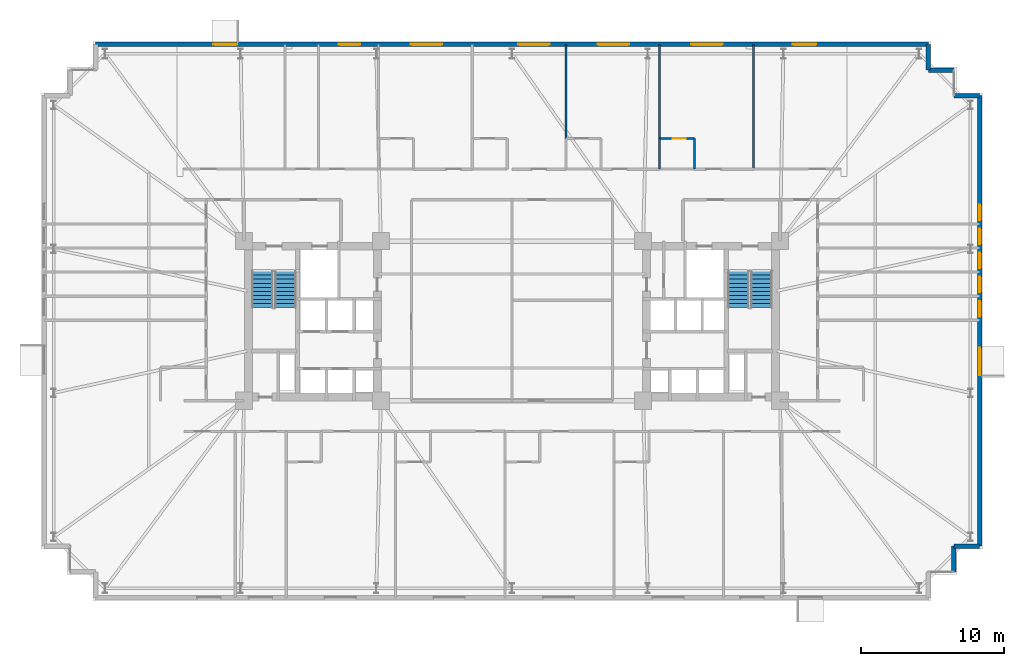
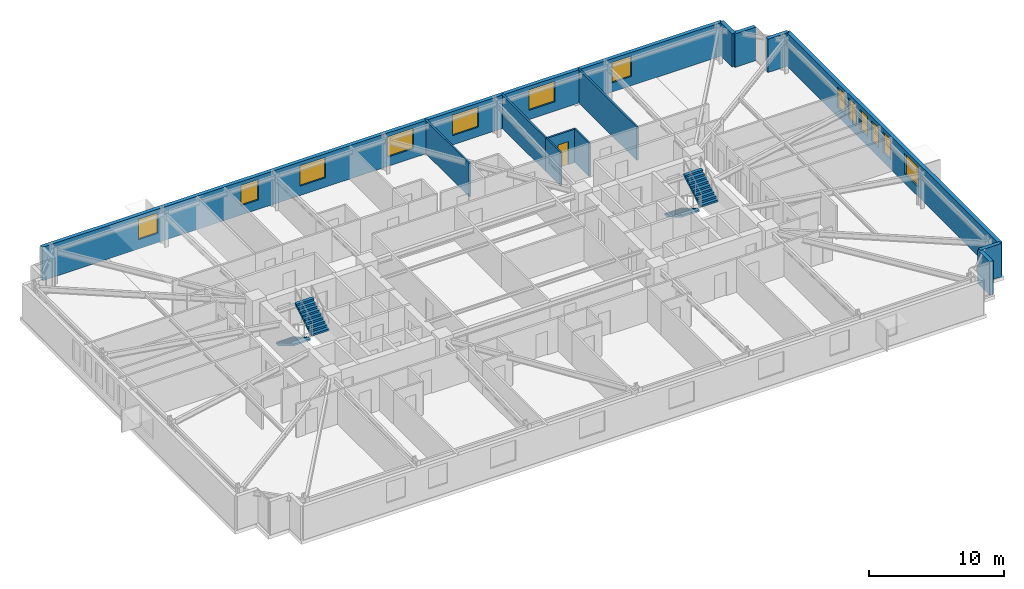
# One storey, part 19 of 22: 13 walls, 13 windows, 4 stair flights, 1 door, 14 openings, 2 elements without a shape of their own.
"""IFC4 building model written with IfcOpenShell, lengths in metres."""

import ifcopenshell
import ifcopenshell.guid

model = None  # the IFC model being written
_history = None  # IfcOwnerHistory: only IFC2X3 demands one
_inside = {}  # id of a spatial element -> (the spatial element, [elements in it])
_under = {}  # id of a project, library or spatial element -> (it, [spatial elements below it])
_declared = {}  # id of a project -> (the project, [libraries it declares])
_typed = {}  # id of a type object -> (the type object, [elements of that type])
_made_of = {}  # id of a material, layer set ... -> (it, [elements and type objects made of it])


def new_model(schema):
    """Start an empty IFC model of exactly this schema.

    Asked for "IFC4X3", IfcOpenShell would pick the latest addendum, in which some entities
    have other attributes; the version numbers below select the first issue.
    IFC2X3 requires an IfcOwnerHistory on every rooted entity: one is made here for all.
    """
    global model, _history
    if schema == "IFC4X3":
        model = ifcopenshell.file(schema_version=(4, 3, 0, 0))
    else:
        model = ifcopenshell.file(schema=schema)
    _inside.clear()
    _under.clear()
    _declared.clear()
    _typed.clear()
    _made_of.clear()
    _history = None
    if model.schema == "IFC2X3":
        org = make("IfcOrganization", Name="unknown")
        user = make(
            "IfcPersonAndOrganization",
            ThePerson=make("IfcPerson", FamilyName="unknown"),
            TheOrganization=org,
        )
        app = make(
            "IfcApplication",
            ApplicationDeveloper=org,
            Version="unknown",
            ApplicationFullName="unknown",
            ApplicationIdentifier="unknown",
        )
        _history = make(
            "IfcOwnerHistory",
            OwningUser=user,
            OwningApplication=app,
            ChangeAction="ADDED",
            CreationDate=0,
        )
    return model


def make(cls, **values):
    """One entity of the class cls with the attributes given. An attribute that is None is left unset."""
    return model.create_entity(
        cls, **{name: value for name, value in values.items() if value is not None}
    )


def rooted(cls, **values):
    """An entity with a GlobalId (a new one), such as an element, a storey or a relation."""
    return make(cls, GlobalId=ifcopenshell.guid.new(), OwnerHistory=_history, **values)


def si_unit(unit_type, name, prefix=None):
    """IfcSIUnit, for example si_unit("LENGTHUNIT", "METRE", prefix="MILLI")."""
    return make("IfcSIUnit", UnitType=unit_type, Prefix=prefix, Name=name)


def assignment(units):
    """IfcUnitAssignment: the units of a project."""
    return None if units is None else make("IfcUnitAssignment", Units=units)


def point(xyz):
    """IfcCartesianPoint."""
    return None if xyz is None else make("IfcCartesianPoint", Coordinates=xyz)


def direction(xyz):
    """IfcDirection."""
    return None if xyz is None else make("IfcDirection", DirectionRatios=xyz)


def frame(location, z_axis=None, x_axis=None):
    """IfcAxis2Placement3D, a coordinate frame: its origin and axes. An axis left out is left unset."""
    return make(
        "IfcAxis2Placement3D",
        Location=point(location),
        Axis=direction(z_axis),
        RefDirection=direction(x_axis),
    )


def frame_2d(location, x_axis=None):
    """IfcAxis2Placement2D, a coordinate frame in the plane: its origin and x axis."""
    return make(
        "IfcAxis2Placement2D", Location=point(location), RefDirection=direction(x_axis)
    )


def origin():
    """The frame at (0, 0, 0) with its axes left unset."""
    return frame((0.0, 0.0, 0.0))


def place(relative_to, where):
    """IfcLocalPlacement: puts the frame where relative to a parent placement (None: the world)."""
    return make(
        "IfcLocalPlacement", PlacementRelTo=relative_to, RelativePlacement=where
    )


def context(
    kind, dimensions, precision=None, world=None, true_north=None, identifier=None
):
    """IfcGeometricRepresentationContext, for example the 3D "Model" context."""
    return make(
        "IfcGeometricRepresentationContext",
        ContextIdentifier=identifier,
        ContextType=kind,
        CoordinateSpaceDimension=dimensions,
        Precision=precision,
        WorldCoordinateSystem=world,
        TrueNorth=true_north,
    )


def subcontext(parent, identifier, kind, view, scale=None):
    """IfcGeometricRepresentationSubContext, for example "Body" below "Model"."""
    return make(
        "IfcGeometricRepresentationSubContext",
        ContextIdentifier=identifier,
        ContextType=kind,
        ParentContext=parent,
        TargetScale=scale,
        TargetView=view,
    )


def project(units=None, contexts=None):
    """IfcProject with its units and contexts."""
    return rooted(
        "IfcProject",
        Name="project",
        RepresentationContexts=contexts,
        UnitsInContext=assignment(units),
    )


def spatial(cls, under=None, at=None, **own):
    """A site, building, storey or space (cls), placed at a placement, below another one or the project."""
    s = rooted(cls, ObjectPlacement=at, **own)
    if under is not None:
        _under.setdefault(under.id(), (under, []))[1].append(s)
    return s


def polyline(points):
    """IfcPolyline through the points."""
    return make("IfcPolyline", Points=[point(p) for p in points])


def profile(cls, at=None, kind="AREA", **sizes):
    """A parametric profile (cls). Its sizes go by their IFC names, for example OverallWidth=200.0."""
    return make(cls, ProfileType=kind, Position=at, **sizes)


def rectangle(**sizes):
    """IfcRectangleProfileDef."""
    return profile("IfcRectangleProfileDef", **sizes)


def outline(outer, holes=None, kind="AREA"):
    """IfcArbitraryClosedProfileDef: a profile drawn as a closed curve; with holes, ...WithVoids."""
    if holes is None:
        return make("IfcArbitraryClosedProfileDef", ProfileType=kind, OuterCurve=outer)
    return make(
        "IfcArbitraryProfileDefWithVoids",
        ProfileType=kind,
        OuterCurve=outer,
        InnerCurves=holes,
    )


def extrude(swept, where, along, depth):
    """IfcExtrudedAreaSolid: the profile swept, set in the frame where, extruded along a direction by depth."""
    return make(
        "IfcExtrudedAreaSolid",
        SweptArea=swept,
        Position=where,
        ExtrudedDirection=direction(along),
        Depth=depth,
    )


def shape(context_of_items, identifier, shape_type, items):
    """IfcShapeRepresentation: the items that make up one representation, for example the "Body"."""
    return make(
        "IfcShapeRepresentation",
        ContextOfItems=context_of_items,
        RepresentationIdentifier=identifier,
        RepresentationType=shape_type,
        Items=items,
    )


def material(Name=None, Category=None):
    """IfcMaterial."""
    return make("IfcMaterial", Name=Name, Category=Category)


def layer(
    of_material, thickness, ventilated=None, Name=None, Category=None, Priority=None
):
    """IfcMaterialLayer: one layer of a wall or slab, of a material (None: an air gap)."""
    return make(
        "IfcMaterialLayer",
        Material=of_material,
        LayerThickness=thickness,
        IsVentilated=ventilated,
        Name=Name,
        Category=Category,
        Priority=Priority,
    )


def layer_set(layers, Name=None):
    """IfcMaterialLayerSet."""
    return make("IfcMaterialLayerSet", MaterialLayers=layers, LayerSetName=Name)


def made_of(thing, what):
    """Note that an element or type object is made of a material, layer set ...; save() writes the relation."""
    if what is not None:
        _made_of.setdefault(what.id(), (what, []))[1].append(thing)
    return thing


def type_object(cls, material=None, **own):
    """A type object (cls), such as IfcWallType, which elements share."""
    return made_of(rooted(cls, **own), material)


def element(
    cls,
    number,
    at=None,
    inside=None,
    cuts=None,
    type_object=None,
    material=None,
    context=None,
    identifier="Body",
    shape_type=None,
    held_by="IfcProductDefinitionShape",
    body=None,
    shapes=None,
    **own,
):
    """One element of the class cls, such as IfcWall. Its Tag is "e" and its number.

    at: its placement. inside: the storey or other place that contains it. cuts: it is an
    opening in that element (IfcRelVoidsElement). A single representation is given by context,
    identifier, shape_type and body (its items); several are given by shapes. held_by: the class
    of the entity that holds the representations. save() writes the other relations.
    """
    e = rooted(cls, Tag="e%d" % number, ObjectPlacement=at, **own)
    if body is not None:
        shapes = [shape(context, identifier, shape_type, body)]
    if shapes is not None:
        e.Representation = make(held_by, Representations=shapes)
    if inside is not None:
        _inside.setdefault(inside.id(), (inside, []))[1].append(e)
    if cuts is not None:
        rooted(
            "IfcRelVoidsElement", RelatingBuildingElement=cuts, RelatedOpeningElement=e
        )
    if type_object is not None:
        _typed.setdefault(type_object.id(), (type_object, []))[1].append(e)
    return made_of(e, material)


def fill(opening, filler):
    """IfcRelFillsElement: the door or window that sits in an opening."""
    return rooted(
        "IfcRelFillsElement",
        RelatingOpeningElement=opening,
        RelatedBuildingElement=filler,
    )


def aggregate(whole, parts):
    """IfcRelAggregates: a whole, such as a stair, and the parts it consists of."""
    return rooted("IfcRelAggregates", RelatingObject=whole, RelatedObjects=parts)


def save(model, path):
    """Write the relations noted so far, then the file.

    IfcRelAggregates (storeys below a building ...), IfcRelContainedInSpatialStructure (elements
    in a storey), IfcRelDefinesByType, IfcRelAssociatesMaterial and IfcRelDeclares: one each for
    every whole, place, type object, material and project.
    """
    for whole, parts in _under.values():
        aggregate(whole, parts)
    for where, things in _inside.values():
        rooted(
            "IfcRelContainedInSpatialStructure",
            RelatedElements=things,
            RelatingStructure=where,
        )
    for kind, things in _typed.values():
        rooted("IfcRelDefinesByType", RelatedObjects=things, RelatingType=kind)
    for what, things in _made_of.values():
        rooted("IfcRelAssociatesMaterial", RelatedObjects=things, RelatingMaterial=what)
    for by, libraries in _declared.values():
        rooted("IfcRelDeclares", RelatingContext=by, RelatedDefinitions=libraries)
    model.write(path)


model = new_model("IFC4")

# Units and contexts
model_context = context("Model", 3, precision=1e-05, world=origin(), true_north=direction((0.0, 1.0)))
body_context = subcontext(model_context, "Body", "Model", "MODEL_VIEW")
ifc_project = project(units=[si_unit("LENGTHUNIT", "METRE"), si_unit("AREAUNIT", "SQUARE_METRE"), si_unit("VOLUMEUNIT", "CUBIC_METRE"), si_unit("PLANEANGLEUNIT", "RADIAN"), si_unit("MASSUNIT", "GRAM", prefix="KILO")], contexts=[model_context])

# Site, building, storey
site_placement = place(None, origin())
site = spatial("IfcSite", under=ifc_project, at=site_placement, CompositionType="ELEMENT")
building_placement = place(site_placement, origin())
building = spatial("IfcBuilding", under=site, at=building_placement, Name="Qobustan Lattice House", CompositionType="ELEMENT")
storey_placement = place(building_placement, frame((0.0, 0.0, 33.699951171875)))
storey = spatial("IfcBuildingStorey", under=building, at=storey_placement, Name="L08", CompositionType="ELEMENT", Elevation=33.699951171875)

# Wall, openings, windows
ifc_material_1 = material(Name="Precast concrete C40/50", Category="concrete")
ifc_layer_1 = layer(ifc_material_1, 0.320068359375)
ifc_layer_set_1 = layer_set([ifc_layer_1], Name="Precast concrete C40/50")
wall_type_1 = type_object("IfcWallType", Name="WAL-EXT-STONE-320", PredefinedType="SOLIDWALL", material=ifc_layer_set_1)
wall_1_placement = place(storey_placement, frame((-29.199951171875, 19.39990234375, 0.0), z_axis=(0.0, 0.0, 1.0), x_axis=(1.0, 0.0, 0.0)))
wall_1 = element("IfcWall", 1, at=wall_1_placement, inside=storey, type_object=wall_type_1, Name="L08 exterior limestone-clad wall 10", PredefinedType="SOLIDWALL", context=body_context, shape_type="SweptSolid", body=[
    extrude(rectangle(XDim=58.39990234375, YDim=0.320068359375, at=frame_2d((29.199951171875, 0.0))), origin(), (0.0, 0.0, 1.0), 3.03515625),
])
opening_1_placement = place(wall_1_placement, frame((8.261474609375, 0.0, 0.85009765625)))
opening_1 = element("IfcOpeningElement", 2, at=opening_1_placement, cuts=wall_1, Name="Opening WN-09", PredefinedType="OPENING", context=body_context, shape_type="SweptSolid", body=[
    extrude(rectangle(XDim=1.64990234375, YDim=1.85009765625, at=frame_2d((0.824951171875, 0.925048828125))), frame((0.0, 0.169921875, 0.0), z_axis=(0.0, -1.0, 0.0), x_axis=(1.0, 0.0, 0.0)), (0.0, 0.0, 1.0), 0.340087890625),
])
opening_2_placement = place(wall_1_placement, frame((17.050048828125, 0.0, 0.85009765625)))
opening_2 = element("IfcOpeningElement", 3, at=opening_2_placement, cuts=wall_1, Name="Opening WN-01", PredefinedType="OPENING", context=body_context, shape_type="SweptSolid", body=[
    extrude(rectangle(XDim=1.5, YDim=1.85009765625, at=frame_2d((0.75, 0.925048828125))), frame((0.0, 0.169921875, 0.0), z_axis=(0.0, -1.0, 0.0), x_axis=(1.0, 0.0, 0.0)), (0.0, 0.0, 1.0), 0.340087890625),
])
opening_3_placement = place(wall_1_placement, frame((22.10009765625, 0.0, 0.85009765625)))
opening_3 = element("IfcOpeningElement", 4, at=opening_3_placement, cuts=wall_1, Name="Opening WN-03", PredefinedType="OPENING", context=body_context, shape_type="SweptSolid", body=[
    extrude(rectangle(XDim=2.199951171875, YDim=1.85009765625, at=frame_2d((1.10009765625, 0.925048828125))), frame((0.0, 0.169921875, 0.0), z_axis=(0.0, -1.0, 0.0), x_axis=(1.0, 0.0, 0.0)), (0.0, 0.0, 1.0), 0.340087890625),
])
opening_4_placement = place(wall_1_placement, frame((29.639892578125, 0.0, 0.85009765625)))
opening_4 = element("IfcOpeningElement", 5, at=opening_4_placement, cuts=wall_1, Name="Opening WN-03", PredefinedType="OPENING", context=body_context, shape_type="SweptSolid", body=[
    extrude(rectangle(XDim=2.199951171875, YDim=1.85009765625, at=frame_2d((1.10009765625, 0.925048828125))), frame((0.0, 0.169921875, 0.0), z_axis=(0.0, -1.0, 0.0), x_axis=(1.0, 0.0, 0.0)), (0.0, 0.0, 1.0), 0.340087890625),
])
opening_5_placement = place(wall_1_placement, frame((35.219970703125, 0.0, 0.85009765625)))
opening_5 = element("IfcOpeningElement", 6, at=opening_5_placement, cuts=wall_1, Name="Opening WN-03", PredefinedType="OPENING", context=body_context, shape_type="SweptSolid", body=[
    extrude(rectangle(XDim=2.199951171875, YDim=1.85009765625, at=frame_2d((1.10009765625, 0.925048828125))), frame((0.0, 0.169921875, 0.0), z_axis=(0.0, -1.0, 0.0), x_axis=(1.0, 0.0, 0.0)), (0.0, 0.0, 1.0), 0.340087890625),
])
opening_6_placement = place(wall_1_placement, frame((41.780029296875, 0.0, 0.85009765625)))
opening_6 = element("IfcOpeningElement", 7, at=opening_6_placement, cuts=wall_1, Name="Opening WN-03", PredefinedType="OPENING", context=body_context, shape_type="SweptSolid", body=[
    extrude(rectangle(XDim=2.199951171875, YDim=1.85009765625, at=frame_2d((1.10009765625, 0.925048828125))), frame((0.0, 0.169921875, 0.0), z_axis=(0.0, -1.0, 0.0), x_axis=(1.0, 0.0, 0.0)), (0.0, 0.0, 1.0), 0.340087890625),
])
opening_7_placement = place(wall_1_placement, frame((48.904541015625, 0.0, 0.85009765625)))
opening_7 = element("IfcOpeningElement", 8, at=opening_7_placement, cuts=wall_1, Name="Opening WN-09", PredefinedType="OPENING", context=body_context, shape_type="SweptSolid", body=[
    extrude(rectangle(XDim=1.64990234375, YDim=1.85009765625, at=frame_2d((0.824951171875, 0.925048828125))), frame((0.0, 0.169921875, 0.0), z_axis=(0.0, -1.0, 0.0), x_axis=(1.0, 0.0, 0.0)), (0.0, 0.0, 1.0), 0.340087890625),
])
ifc_material_2 = material(Name="Double-glazed low-E aluminium window", Category="aluminium")
window_type_1 = type_object("IfcWindowType", Name="WIN-BED-1500x1850", PartitioningType="SINGLE_PANEL", PredefinedType="WINDOW", material=ifc_material_2)
window_1_placement = place(opening_2_placement, origin())
window_1 = element("IfcWindow", 9, at=window_1_placement, inside=storey, type_object=window_type_1, Name="L08 Laundry utility room window", OverallHeight=1.85009765625, OverallWidth=1.5, PartitioningType="SINGLE_PANEL", PredefinedType="WINDOW", context=body_context, shape_type="SweptSolid", body=[
    extrude(rectangle(XDim=1.5, YDim=1.85009765625, at=frame_2d((0.75, 0.925048828125))), frame((0.0, 0.030029296875, 0.0), z_axis=(0.0, -1.0, 0.0), x_axis=(1.0, 0.0, 0.0)), (0.0, 0.0, 1.0), 0.06005859375),
])
fill(opening_2, window_1)
ifc_material_3 = material(Name="Double-glazed low-E aluminium window", Category="aluminium")
window_type_2 = type_object("IfcWindowType", Name="WIN-STU-1650x1850", PartitioningType="SINGLE_PANEL", PredefinedType="WINDOW", material=ifc_material_3)
window_2_placement = place(opening_1_placement, origin())
window_2 = element("IfcWindow", 10, at=window_2_placement, inside=storey, type_object=window_type_2, Name="L08 Focus study room N1 window", OverallHeight=1.85009765625, OverallWidth=1.64990234375, PartitioningType="SINGLE_PANEL", PredefinedType="WINDOW", context=body_context, shape_type="SweptSolid", body=[
    extrude(rectangle(XDim=1.64990234375, YDim=1.85009765625, at=frame_2d((0.824951171875, 0.925048828125))), frame((0.0, 0.030029296875, 0.0), z_axis=(0.0, -1.0, 0.0), x_axis=(1.0, 0.0, 0.0)), (0.0, 0.0, 1.0), 0.06005859375),
])
fill(opening_1, window_2)
window_3_placement = place(opening_7_placement, origin())
window_3 = element("IfcWindow", 11, at=window_3_placement, inside=storey, type_object=window_type_2, Name="L08 Focus study room N7 window", OverallHeight=1.85009765625, OverallWidth=1.64990234375, PartitioningType="SINGLE_PANEL", PredefinedType="WINDOW", context=body_context, shape_type="SweptSolid", body=[
    extrude(rectangle(XDim=1.64990234375, YDim=1.85009765625, at=frame_2d((0.824951171875, 0.925048828125))), frame((0.0, 0.030029296875, 0.0), z_axis=(0.0, -1.0, 0.0), x_axis=(1.0, 0.0, 0.0)), (0.0, 0.0, 1.0), 0.06005859375),
])
fill(opening_7, window_3)
ifc_material_4 = material(Name="Double-glazed low-E aluminium window", Category="aluminium")
window_type_3 = type_object("IfcWindowType", Name="WIN-WIDE-2200x1850", PartitioningType="SINGLE_PANEL", PredefinedType="WINDOW", material=ifc_material_4)
window_4_placement = place(opening_3_placement, origin())
window_4 = element("IfcWindow", 12, at=window_4_placement, inside=storey, type_object=window_type_3, Name="L08 Kitchenette and studio apartment L08-N3 window", OverallHeight=1.85009765625, OverallWidth=2.199951171875, PartitioningType="SINGLE_PANEL", PredefinedType="WINDOW", context=body_context, shape_type="SweptSolid", body=[
    extrude(rectangle(XDim=2.199951171875, YDim=1.85009765625, at=frame_2d((1.10009765625, 0.925048828125))), frame((0.0, 0.030029296875, 0.0), z_axis=(0.0, -1.0, 0.0), x_axis=(1.0, 0.0, 0.0)), (0.0, 0.0, 1.0), 0.06005859375),
])
fill(opening_3, window_4)
window_5_placement = place(opening_4_placement, origin())
window_5 = element("IfcWindow", 13, at=window_5_placement, inside=storey, type_object=window_type_3, Name="L08 Kitchenette and studio apartment L08-N4 window", OverallHeight=1.85009765625, OverallWidth=2.199951171875, PartitioningType="SINGLE_PANEL", PredefinedType="WINDOW", context=body_context, shape_type="SweptSolid", body=[
    extrude(rectangle(XDim=2.199951171875, YDim=1.85009765625, at=frame_2d((1.10009765625, 0.925048828125))), frame((0.0, 0.030029296875, 0.0), z_axis=(0.0, -1.0, 0.0), x_axis=(1.0, 0.0, 0.0)), (0.0, 0.0, 1.0), 0.06005859375),
])
fill(opening_4, window_5)
window_6_placement = place(opening_5_placement, origin())
window_6 = element("IfcWindow", 14, at=window_6_placement, inside=storey, type_object=window_type_3, Name="L08 Kitchenette and studio apartment L08-N5 window", OverallHeight=1.85009765625, OverallWidth=2.199951171875, PartitioningType="SINGLE_PANEL", PredefinedType="WINDOW", context=body_context, shape_type="SweptSolid", body=[
    extrude(rectangle(XDim=2.199951171875, YDim=1.85009765625, at=frame_2d((1.10009765625, 0.925048828125))), frame((0.0, 0.030029296875, 0.0), z_axis=(0.0, -1.0, 0.0), x_axis=(1.0, 0.0, 0.0)), (0.0, 0.0, 1.0), 0.06005859375),
])
fill(opening_5, window_6)
window_7_placement = place(opening_6_placement, origin())
window_7 = element("IfcWindow", 15, at=window_7_placement, inside=storey, type_object=window_type_3, Name="L08 Kitchenette and studio apartment L08-N6 window", OverallHeight=1.85009765625, OverallWidth=2.199951171875, PartitioningType="SINGLE_PANEL", PredefinedType="WINDOW", context=body_context, shape_type="SweptSolid", body=[
    extrude(rectangle(XDim=2.199951171875, YDim=1.85009765625, at=frame_2d((1.10009765625, 0.925048828125))), frame((0.0, 0.030029296875, 0.0), z_axis=(0.0, -1.0, 0.0), x_axis=(1.0, 0.0, 0.0)), (0.0, 0.0, 1.0), 0.06005859375),
])
fill(opening_6, window_7)

# Walls
wall_2_placement = place(storey_placement, frame((29.199951171875, 19.39990234375, 0.0), z_axis=(0.0, 0.0, 1.0), x_axis=(0.0, -1.0, 0.0)))
element("IfcWall", 16, at=wall_2_placement, inside=storey, type_object=wall_type_1, Name="L08 exterior limestone-clad wall 11", PredefinedType="SOLIDWALL", context=body_context, shape_type="SweptSolid", body=[
    extrude(rectangle(XDim=1.7998046875, YDim=0.320068359375, at=frame_2d((0.89990234375, 0.0))), origin(), (0.0, 0.0, 1.0), 3.03515625),
])
for number, where, z_axis, x_axis, name in (
    (17, (29.199951171875, 17.60009765625, 0.0), (0.0, 0.0, 1.0), (1.0, 0.0, 0.0), "L08 exterior limestone-clad wall 12"),
    (18, (31.0, 15.800048828125, 0.0), (0.0, 0.0, 1.0), (1.0, 0.0, 0.0), "L08 exterior limestone-clad wall 14"),
):
    element("IfcWall", number, at=place(storey_placement, frame(where, z_axis=z_axis, x_axis=x_axis)), inside=storey, type_object=wall_type_1, Name=name, PredefinedType="SOLIDWALL", context=body_context, shape_type="SweptSolid", body=[
        extrude(rectangle(XDim=1.800048828125, YDim=0.320068359375, at=frame_2d((0.89990234375, 0.0))), origin(), (0.0, 0.0, 1.0), 3.03515625),
    ])

# Wall, openings, windows
wall_3_placement = place(storey_placement, frame((32.800048828125, 15.800048828125, 0.0), z_axis=(0.0, 0.0, 1.0), x_axis=(0.0, -1.0, 0.0)))
wall_3 = element("IfcWall", 19, at=wall_3_placement, inside=storey, type_object=wall_type_1, Name="L08 exterior limestone-clad wall 15", PredefinedType="SOLIDWALL", context=body_context, shape_type="SweptSolid", body=[
    extrude(rectangle(XDim=31.60009765625, YDim=0.320068359375, at=frame_2d((15.800048828125, 0.0))), origin(), (0.0, 0.0, 1.0), 3.03515625),
])
opening_8_placement = place(wall_3_placement, frame((7.64990234375, 0.0, 0.85009765625)))
opening_8 = element("IfcOpeningElement", 20, at=opening_8_placement, cuts=wall_3, Name="Opening WN-04", PredefinedType="OPENING", context=body_context, shape_type="SweptSolid", body=[
    extrude(rectangle(XDim=1.10009765625, YDim=1.85009765625, at=frame_2d((0.550048828125, 0.925048828125))), frame((0.0, 0.169921875, 0.0), z_axis=(0.0, -1.0, 0.0), x_axis=(1.0, 0.0, 0.0)), (0.0, 0.0, 1.0), 0.340087890625),
])
opening_9_placement = place(wall_3_placement, frame((9.330078125, 0.0, 0.85009765625)))
opening_9 = element("IfcOpeningElement", 21, at=opening_9_placement, cuts=wall_3, Name="Opening WN-04", PredefinedType="OPENING", context=body_context, shape_type="SweptSolid", body=[
    extrude(rectangle(XDim=1.10009765625, YDim=1.85009765625, at=frame_2d((0.550048828125, 0.925048828125))), frame((0.0, 0.169921875, 0.0), z_axis=(0.0, -1.0, 0.0), x_axis=(1.0, 0.0, 0.0)), (0.0, 0.0, 1.0), 0.340087890625),
])
opening_10_placement = place(wall_3_placement, frame((11.010009765625, 0.0, 0.85009765625)))
opening_10 = element("IfcOpeningElement", 22, at=opening_10_placement, cuts=wall_3, Name="Opening WN-04", PredefinedType="OPENING", context=body_context, shape_type="SweptSolid", body=[
    extrude(rectangle(XDim=1.10009765625, YDim=1.85009765625, at=frame_2d((0.550048828125, 0.925048828125))), frame((0.0, 0.169921875, 0.0), z_axis=(0.0, -1.0, 0.0), x_axis=(1.0, 0.0, 0.0)), (0.0, 0.0, 1.0), 0.340087890625),
])
opening_11_placement = place(wall_3_placement, frame((12.68994140625, 0.0, 0.85009765625)))
opening_11 = element("IfcOpeningElement", 23, at=opening_11_placement, cuts=wall_3, Name="Opening WN-04", PredefinedType="OPENING", context=body_context, shape_type="SweptSolid", body=[
    extrude(rectangle(XDim=1.10009765625, YDim=1.85009765625, at=frame_2d((0.550048828125, 0.925048828125))), frame((0.0, 0.169921875, 0.0), z_axis=(0.0, -1.0, 0.0), x_axis=(1.0, 0.0, 0.0)), (0.0, 0.0, 1.0), 0.340087890625),
])
opening_12_placement = place(wall_3_placement, frame((14.409912109375, 0.0, 0.85009765625)))
opening_12 = element("IfcOpeningElement", 24, at=opening_12_placement, cuts=wall_3, Name="Opening WN-04", PredefinedType="OPENING", context=body_context, shape_type="SweptSolid", body=[
    extrude(rectangle(XDim=1.10009765625, YDim=1.85009765625, at=frame_2d((0.550048828125, 0.925048828125))), frame((0.0, 0.169921875, 0.0), z_axis=(0.0, -1.0, 0.0), x_axis=(1.0, 0.0, 0.0)), (0.0, 0.0, 1.0), 0.340087890625),
])
opening_13_placement = place(wall_3_placement, frame((17.6650390625, 0.0, 0.85009765625)))
opening_13 = element("IfcOpeningElement", 25, at=opening_13_placement, cuts=wall_3, Name="Opening WN-08", PredefinedType="OPENING", context=body_context, shape_type="SweptSolid", body=[
    extrude(rectangle(XDim=1.949951171875, YDim=1.85009765625, at=frame_2d((0.97509765625, 0.925048828125))), frame((0.0, 0.169921875, 0.0), z_axis=(0.0, -1.0, 0.0), x_axis=(1.0, 0.0, 0.0)), (0.0, 0.0, 1.0), 0.340087890625),
])
ifc_material_5 = material(Name="Double-glazed low-E aluminium window", Category="aluminium")
window_type_4 = type_object("IfcWindowType", Name="WIN-KIT-1950x1850", PartitioningType="SINGLE_PANEL", PredefinedType="WINDOW", material=ifc_material_5)
window_8_placement = place(opening_13_placement, origin())
window_8 = element("IfcWindow", 26, at=window_8_placement, inside=storey, type_object=window_type_4, Name="L08 Shared kitchen L08E window", OverallHeight=1.85009765625, OverallWidth=1.949951171875, PartitioningType="SINGLE_PANEL", PredefinedType="WINDOW", context=body_context, shape_type="SweptSolid", body=[
    extrude(rectangle(XDim=1.949951171875, YDim=1.85009765625, at=frame_2d((0.97509765625, 0.925048828125))), frame((0.0, 0.030029296875, 0.0), z_axis=(0.0, -1.0, 0.0), x_axis=(1.0, 0.0, 0.0)), (0.0, 0.0, 1.0), 0.06005859375),
])
fill(opening_13, window_8)
ifc_material_6 = material(Name="Double-glazed low-E aluminium window", Category="aluminium")
window_type_5 = type_object("IfcWindowType", Name="WIN-NAR-1100x1850", PartitioningType="SINGLE_PANEL", PredefinedType="WINDOW", material=ifc_material_6)
window_9_placement = place(opening_8_placement, origin())
window_9 = element("IfcWindow", 27, at=window_9_placement, inside=storey, type_object=window_type_5, Name="L08 Cluster bedroom L08E5 window", OverallHeight=1.85009765625, OverallWidth=1.10009765625, PartitioningType="SINGLE_PANEL", PredefinedType="WINDOW", context=body_context, shape_type="SweptSolid", body=[
    extrude(rectangle(XDim=1.10009765625, YDim=1.85009765625, at=frame_2d((0.550048828125, 0.925048828125))), frame((0.0, 0.030029296875, 0.0), z_axis=(0.0, -1.0, 0.0), x_axis=(1.0, 0.0, 0.0)), (0.0, 0.0, 1.0), 0.06005859375),
])
fill(opening_8, window_9)
window_10_placement = place(opening_9_placement, origin())
window_10 = element("IfcWindow", 28, at=window_10_placement, inside=storey, type_object=window_type_5, Name="L08 Cluster bedroom L08E4 window", OverallHeight=1.85009765625, OverallWidth=1.10009765625, PartitioningType="SINGLE_PANEL", PredefinedType="WINDOW", context=body_context, shape_type="SweptSolid", body=[
    extrude(rectangle(XDim=1.10009765625, YDim=1.85009765625, at=frame_2d((0.550048828125, 0.925048828125))), frame((0.0, 0.030029296875, 0.0), z_axis=(0.0, -1.0, 0.0), x_axis=(1.0, 0.0, 0.0)), (0.0, 0.0, 1.0), 0.06005859375),
])
fill(opening_9, window_10)
window_11_placement = place(opening_10_placement, origin())
window_11 = element("IfcWindow", 29, at=window_11_placement, inside=storey, type_object=window_type_5, Name="L08 Cluster bedroom L08E3 window", OverallHeight=1.85009765625, OverallWidth=1.10009765625, PartitioningType="SINGLE_PANEL", PredefinedType="WINDOW", context=body_context, shape_type="SweptSolid", body=[
    extrude(rectangle(XDim=1.10009765625, YDim=1.85009765625, at=frame_2d((0.550048828125, 0.925048828125))), frame((0.0, 0.030029296875, 0.0), z_axis=(0.0, -1.0, 0.0), x_axis=(1.0, 0.0, 0.0)), (0.0, 0.0, 1.0), 0.06005859375),
])
fill(opening_10, window_11)
window_12_placement = place(opening_11_placement, origin())
window_12 = element("IfcWindow", 30, at=window_12_placement, inside=storey, type_object=window_type_5, Name="L08 Cluster bedroom L08E2 window", OverallHeight=1.85009765625, OverallWidth=1.10009765625, PartitioningType="SINGLE_PANEL", PredefinedType="WINDOW", context=body_context, shape_type="SweptSolid", body=[
    extrude(rectangle(XDim=1.10009765625, YDim=1.85009765625, at=frame_2d((0.550048828125, 0.925048828125))), frame((0.0, 0.030029296875, 0.0), z_axis=(0.0, -1.0, 0.0), x_axis=(1.0, 0.0, 0.0)), (0.0, 0.0, 1.0), 0.06005859375),
])
fill(opening_11, window_12)
window_13_placement = place(opening_12_placement, origin())
window_13 = element("IfcWindow", 31, at=window_13_placement, inside=storey, type_object=window_type_5, Name="L08 Cluster bedroom L08E1 window", OverallHeight=1.85009765625, OverallWidth=1.10009765625, PartitioningType="SINGLE_PANEL", PredefinedType="WINDOW", context=body_context, shape_type="SweptSolid", body=[
    extrude(rectangle(XDim=1.10009765625, YDim=1.85009765625, at=frame_2d((0.550048828125, 0.925048828125))), frame((0.0, 0.030029296875, 0.0), z_axis=(0.0, -1.0, 0.0), x_axis=(1.0, 0.0, 0.0)), (0.0, 0.0, 1.0), 0.06005859375),
])
fill(opening_12, window_13)

# Walls
for number, where, z_axis, x_axis, name in (
    (32, (32.800048828125, -15.800048828125, 0.0), (0.0, 0.0, 1.0), (-1.0, 0.0, 0.0), "L08 exterior limestone-clad wall 16"),
    (33, (31.0, -15.800048828125, 0.0), (0.0, 0.0, 1.0), (0.0, -1.0, 0.0), "L08 exterior limestone-clad wall 17"),
):
    element("IfcWall", number, at=place(storey_placement, frame(where, z_axis=z_axis, x_axis=x_axis)), inside=storey, type_object=wall_type_1, Name=name, PredefinedType="SOLIDWALL", context=body_context, shape_type="SweptSolid", body=[
        extrude(rectangle(XDim=1.800048828125, YDim=0.320068359375, at=frame_2d((0.89990234375, 0.0))), origin(), (0.0, 0.0, 1.0), 3.03515625),
    ])
ifc_material_7 = material(Name="Acoustic twin-stud gypsum partition", Category="gypsum")
ifc_layer_2 = layer(ifc_material_7, 0.14990234375)
ifc_layer_set_2 = layer_set([ifc_layer_2], Name="Acoustic twin-stud gypsum partition")
wall_type_2 = type_object("IfcWallType", Name="WAL-PART-150", PredefinedType="PARTITIONING", material=ifc_layer_set_2)
for number, where, z_axis, x_axis, name in (
    (34, (3.785888671875, 19.39990234375, 0.0), (0.0, 0.0, 1.0), (0.0, -1.0, 0.0), "L08 interior partition 114"),
    (35, (10.35693359375, 19.39990234375, 0.0), (0.0, 0.0, 1.0), (0.0, -1.0, 0.0), "L08 interior partition 118"),
):
    element("IfcWall", number, at=place(storey_placement, frame(where, z_axis=z_axis, x_axis=x_axis)), inside=storey, type_object=wall_type_2, Name=name, PredefinedType="PARTITIONING", context=body_context, shape_type="SweptSolid", body=[
        extrude(rectangle(XDim=6.599853515625, YDim=0.14990234375, at=frame_2d((3.2998046875, 0.0))), origin(), (0.0, 0.0, 1.0), 3.03515625),
    ])
wall_4_placement = place(storey_placement, frame((16.928955078125, 19.39990234375, 0.0), z_axis=(0.0, 0.0, 1.0), x_axis=(0.0, -1.0, 0.0)))
element("IfcWall", 36, at=wall_4_placement, inside=storey, type_object=wall_type_2, Name="L08 interior partition 122", PredefinedType="PARTITIONING", context=body_context, shape_type="SweptSolid", body=[
    extrude(rectangle(XDim=8.75, YDim=0.14990234375, at=frame_2d((4.375, 0.0))), origin(), (0.0, 0.0, 1.0), 3.03515625),
])
ifc_material_8 = material(Name="Moisture-resistant acoustic plumbing wall", Category="gypsum")
ifc_layer_3 = layer(ifc_material_8, 0.14990234375)
ifc_layer_set_3 = layer_set([ifc_layer_3], Name="Moisture-resistant acoustic plumbing wall")
wall_type_3 = type_object("IfcWallType", Name="WAL-WET-150", PredefinedType="PLUMBINGWALL", material=ifc_layer_set_3)
wall_5_placement = place(storey_placement, frame((10.35693359375, 12.800048828125, 0.0), z_axis=(0.0, 0.0, 1.0), x_axis=(0.0, -1.0, 0.0)))
element("IfcWall", 37, at=wall_5_placement, inside=storey, type_object=wall_type_3, Name="L08 interior partition 119", PredefinedType="PLUMBINGWALL", context=body_context, shape_type="SweptSolid", body=[
    extrude(rectangle(XDim=2.150146484375, YDim=0.14990234375, at=frame_2d((1.0751953125, 0.0))), origin(), (0.0, 0.0, 1.0), 3.03515625),
])

# Wall, opening, door
wall_6_placement = place(storey_placement, frame((12.806884765625, 12.800048828125, 0.0), z_axis=(0.0, 0.0, 1.0), x_axis=(-1.0, 0.0, 0.0)))
wall_6 = element("IfcWall", 38, at=wall_6_placement, inside=storey, type_object=wall_type_3, Name="L08 interior partition 120", PredefinedType="PLUMBINGWALL", context=body_context, shape_type="SweptSolid", body=[
    extrude(rectangle(XDim=2.449951171875, YDim=0.14990234375, at=frame_2d((1.22509765625, 0.0))), origin(), (0.0, 0.0, 1.0), 3.03515625),
])
opening_14_placement = place(wall_6_placement, frame((0.62890625, 0.0, 0.0)))
opening_14 = element("IfcOpeningElement", 39, at=opening_14_placement, cuts=wall_6, Name="Opening WD-01", PredefinedType="OPENING", context=body_context, shape_type="SweptSolid", body=[
    extrude(rectangle(XDim=0.89990234375, YDim=2.10009765625, at=frame_2d((0.449951171875, 1.050048828125))), frame((0.0, 0.0849609375, 0.0), z_axis=(0.0, -1.0, 0.0), x_axis=(1.0, 0.0, 0.0)), (0.0, 0.0, 1.0), 0.169921875),
])
ifc_material_9 = material(Name="Persian walnut timber and steel frame door", Category="steel")
door_type = type_object("IfcDoorType", Name="DOR-WET-900x2100", OperationType="NOTDEFINED", PredefinedType="DOOR", material=ifc_material_9)
door_placement = place(opening_14_placement, origin())
door = element("IfcDoor", 40, at=door_placement, inside=storey, type_object=door_type, Name="L08 Kitchenette and studio apartment L08-N6 to En-suite bathroom L08-N6 door", OperationType="SINGLE_SWING_RIGHT", OverallHeight=2.10009765625, OverallWidth=0.89990234375, PredefinedType="DOOR", context=body_context, shape_type="SweptSolid", body=[
    extrude(rectangle(XDim=0.89990234375, YDim=2.10009765625, at=frame_2d((0.449951171875, 1.050048828125))), frame((0.0, 0.02490234375, 0.0), z_axis=(0.0, -1.0, 0.0), x_axis=(1.0, 0.0, 0.0)), (0.0, 0.0, 1.0), 0.050048828125),
])
fill(opening_14, door)

# Wall
wall_7_placement = place(storey_placement, frame((12.806884765625, 10.64990234375, 0.0), z_axis=(0.0, 0.0, 1.0), x_axis=(0.0, 1.0, 0.0)))
element("IfcWall", 41, at=wall_7_placement, inside=storey, type_object=wall_type_3, Name="L08 interior partition 121", PredefinedType="PLUMBINGWALL", context=body_context, shape_type="SweptSolid", body=[
    extrude(rectangle(XDim=2.150146484375, YDim=0.14990234375, at=frame_2d((1.0751953125, 0.0))), origin(), (0.0, 0.0, 1.0), 3.03515625),
])

# Stair, stair flights
ifc_material_10 = material(Name="Concrete C40/50", Category="concrete")
stair_type = type_object("IfcStairType", Name="STR-CORE-DOGLEG", PredefinedType="HALF_TURN_STAIR", material=ifc_material_10)
stair_1_placement = place(storey_placement, origin())
stair_1 = element("IfcStair", 42, at=stair_1_placement, inside=storey, type_object=stair_type, Name="L08 West protected exit stair ST-W1", PredefinedType="HALF_TURN_STAIR")
ifc_material_11 = material(Name="Concrete C40/50", Category="concrete")
stair_flight_type = type_object("IfcStairFlightType", Name="SFL-RC-1500", PredefinedType="STRAIGHT", material=ifc_material_11)
stair_flight_1_placement = place(storey_placement, frame((-17.5, 3.5, 0.0), z_axis=(0.0, 0.0, 1.0), x_axis=(0.0, -1.0, 0.0)))
stair_flight_1 = element("IfcStairFlight", 43, at=stair_flight_1_placement, type_object=stair_flight_type, Name="ST-W1 flight 1", NumberOfRisers=10, NumberOfTreads=9, PredefinedType="STRAIGHT", RiserHeight=0.1675, TreadLength=0.285, context=body_context, shape_type="SweptSolid", body=[
    extrude(outline(polyline([(0.0, 0.0), (0.0, 0.16748046875), (0.284912109375, 0.16748046875), (0.284912109375, 0.3349609375), (0.570068359375, 0.3349609375), (0.570068359375, 0.50244140625), (0.85498046875, 0.50244140625), (0.85498046875, 0.669921875), (1.139892578125, 0.669921875), (1.139892578125, 0.83740234375), (1.425048828125, 0.83740234375), (1.425048828125, 1.0048828125), (1.7099609375, 1.0048828125), (1.7099609375, 1.172607421875), (1.9951171875, 1.172607421875), (1.9951171875, 1.340087890625), (2.280029296875, 1.340087890625), (2.280029296875, 1.507568359375), (2.56494140625, 1.507568359375), (2.56494140625, 1.675048828125), (2.56494140625, 1.333740234375), (0.2958984375, 0.0), (0.0, 0.0)])), frame((0.0, 0.75, 0.0), z_axis=(0.0, -1.0, 0.0), x_axis=(1.0, 0.0, 0.0)), (0.0, 0.0, 1.0), 1.5),
])
stair_flight_2_placement = place(storey_placement, frame((-15.8798828125, 0.93505859375, 1.675048828125), z_axis=(0.0, 0.0, 1.0), x_axis=(0.0, 1.0, 0.0)))
stair_flight_2 = element("IfcStairFlight", 44, at=stair_flight_2_placement, type_object=stair_flight_type, Name="ST-W1 flight 2", NumberOfRisers=10, NumberOfTreads=9, PredefinedType="STRAIGHT", RiserHeight=0.1675, TreadLength=0.285, context=body_context, shape_type="SweptSolid", body=[
    extrude(outline(polyline([(0.0, 0.0), (0.0, 0.16748046875), (0.284912109375, 0.16748046875), (0.284912109375, 0.3349609375), (0.570068359375, 0.3349609375), (0.570068359375, 0.50244140625), (0.85498046875, 0.50244140625), (0.85498046875, 0.669921875), (1.139892578125, 0.669921875), (1.139892578125, 0.83740234375), (1.425048828125, 0.83740234375), (1.425048828125, 1.0048828125), (1.7099609375, 1.0048828125), (1.7099609375, 1.172607421875), (1.9951171875, 1.172607421875), (1.9951171875, 1.340087890625), (2.280029296875, 1.340087890625), (2.280029296875, 1.507568359375), (2.56494140625, 1.507568359375), (2.56494140625, 1.675048828125), (2.56494140625, 1.333740234375), (0.2958984375, 0.0), (0.0, 0.0)])), frame((0.0, 0.75, 0.0), z_axis=(0.0, -1.0, 0.0), x_axis=(1.0, 0.0, 0.0)), (0.0, 0.0, 1.0), 1.5),
])
aggregate(stair_1, [stair_flight_1, stair_flight_2])

stair_2_placement = place(storey_placement, origin())
stair_2 = element("IfcStair", 45, at=stair_2_placement, inside=storey, type_object=stair_type, Name="L08 East protected exit stair ST-E1", PredefinedType="HALF_TURN_STAIR")
stair_flight_3_placement = place(storey_placement, frame((15.8798828125, 3.5, 0.0), z_axis=(0.0, 0.0, 1.0), x_axis=(0.0, -1.0, 0.0)))
stair_flight_3 = element("IfcStairFlight", 46, at=stair_flight_3_placement, type_object=stair_flight_type, Name="ST-E1 flight 1", NumberOfRisers=10, NumberOfTreads=9, PredefinedType="STRAIGHT", RiserHeight=0.1675, TreadLength=0.285, context=body_context, shape_type="SweptSolid", body=[
    extrude(outline(polyline([(0.0, 0.0), (0.0, 0.16748046875), (0.284912109375, 0.16748046875), (0.284912109375, 0.3349609375), (0.570068359375, 0.3349609375), (0.570068359375, 0.50244140625), (0.85498046875, 0.50244140625), (0.85498046875, 0.669921875), (1.139892578125, 0.669921875), (1.139892578125, 0.83740234375), (1.425048828125, 0.83740234375), (1.425048828125, 1.0048828125), (1.7099609375, 1.0048828125), (1.7099609375, 1.172607421875), (1.9951171875, 1.172607421875), (1.9951171875, 1.340087890625), (2.280029296875, 1.340087890625), (2.280029296875, 1.507568359375), (2.56494140625, 1.507568359375), (2.56494140625, 1.675048828125), (2.56494140625, 1.333740234375), (0.2958984375, 0.0), (0.0, 0.0)])), frame((0.0, 0.75, 0.0), z_axis=(0.0, -1.0, 0.0), x_axis=(1.0, 0.0, 0.0)), (0.0, 0.0, 1.0), 1.5),
])
stair_flight_4_placement = place(storey_placement, frame((17.5, 0.93505859375, 1.675048828125), z_axis=(0.0, 0.0, 1.0), x_axis=(0.0, 1.0, 0.0)))
stair_flight_4 = element("IfcStairFlight", 47, at=stair_flight_4_placement, type_object=stair_flight_type, Name="ST-E1 flight 2", NumberOfRisers=10, NumberOfTreads=9, PredefinedType="STRAIGHT", RiserHeight=0.1675, TreadLength=0.285, context=body_context, shape_type="SweptSolid", body=[
    extrude(outline(polyline([(0.0, 0.0), (0.0, 0.16748046875), (0.284912109375, 0.16748046875), (0.284912109375, 0.3349609375), (0.570068359375, 0.3349609375), (0.570068359375, 0.50244140625), (0.85498046875, 0.50244140625), (0.85498046875, 0.669921875), (1.139892578125, 0.669921875), (1.139892578125, 0.83740234375), (1.425048828125, 0.83740234375), (1.425048828125, 1.0048828125), (1.7099609375, 1.0048828125), (1.7099609375, 1.172607421875), (1.9951171875, 1.172607421875), (1.9951171875, 1.340087890625), (2.280029296875, 1.340087890625), (2.280029296875, 1.507568359375), (2.56494140625, 1.507568359375), (2.56494140625, 1.675048828125), (2.56494140625, 1.333740234375), (0.2958984375, 0.0), (0.0, 0.0)])), frame((0.0, 0.75, 0.0), z_axis=(0.0, -1.0, 0.0), x_axis=(1.0, 0.0, 0.0)), (0.0, 0.0, 1.0), 1.5),
])
aggregate(stair_2, [stair_flight_3, stair_flight_4])

save(model, "model.ifc")
